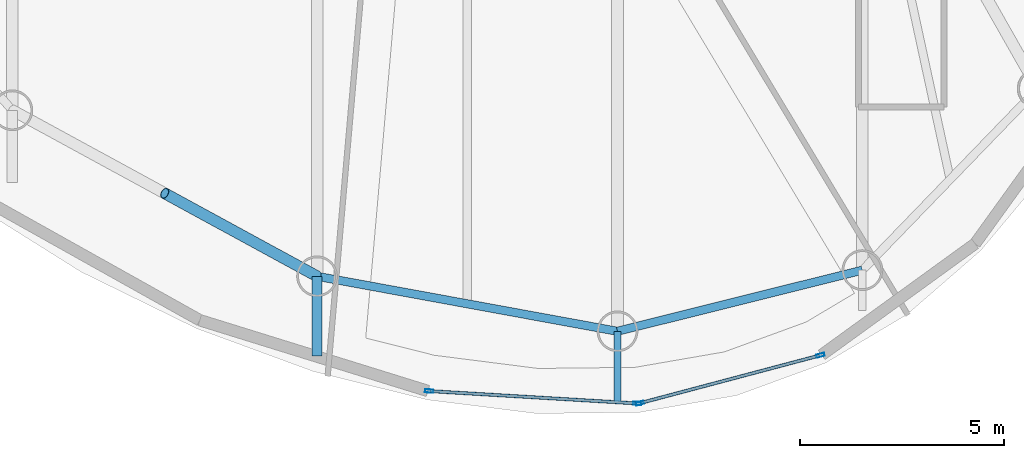
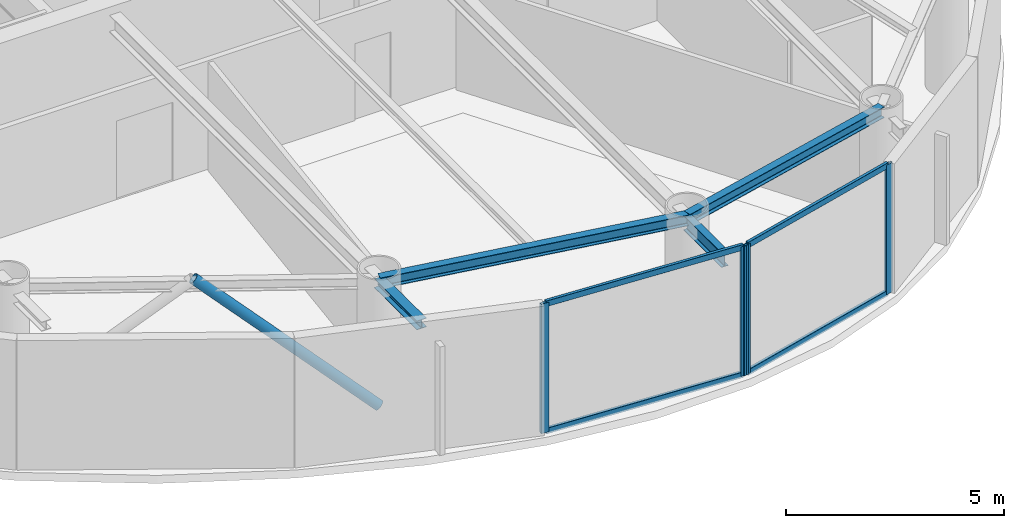
# One storey, part 3 of 19: 9 members, 4 beams, 2 elements without a shape of their own.
"""IFC4 building model written with IfcOpenShell, lengths in metres."""

from ifc_helpers import new_model, si_unit, direction, frame, origin, origin_2d, place, context, subcontext, project, spatial, hollow_rectangle, hollow_circle, i_section, extrude, material, layer, layer_set, material_profile, profile_set, type_object, element, aggregate, save


model = new_model("IFC4")

# Units and contexts
model_context = context("Model", 3, precision=1e-05, world=origin(), true_north=direction((0.0, 1.0)))
body_context = subcontext(model_context, "Body", "Model", "MODEL_VIEW")
ifc_project = project(units=[si_unit("LENGTHUNIT", "METRE"), si_unit("AREAUNIT", "SQUARE_METRE"), si_unit("VOLUMEUNIT", "CUBIC_METRE"), si_unit("PLANEANGLEUNIT", "RADIAN"), si_unit("MASSUNIT", "GRAM", prefix="KILO")], contexts=[model_context])

# Site, building, storey
site_placement = place(None, origin())
site = spatial("IfcSite", under=ifc_project, at=site_placement, CompositionType="ELEMENT")
building_placement = place(site_placement, origin())
building = spatial("IfcBuilding", under=site, at=building_placement, Name="Bramvorn Convention Spire", CompositionType="ELEMENT")
storey_placement = place(building_placement, frame((0.0, 0.0, 292.10009765625)))
storey = spatial("IfcBuildingStorey", under=building, at=storey_placement, Name="L74", CompositionType="ELEMENT", Elevation=292.10009765625)

# Beams
ifc_material_1 = material(Name="Steel CSA G40.21 Grade 350 (350W)", Category="steel")
ifc_material_profile_1 = material_profile(ifc_material_1, i_section(OverallWidth=0.25390625, OverallDepth=0.2529296875, WebThickness=0.008544921875, FlangeThickness=0.01416015625, FilletRadius=0.011962890625, at=origin_2d()))
ifc_profile_set_1 = profile_set([ifc_material_profile_1], Name="Steel CSA G40.21 Grade 350 (350W) - W250X73")
beam_type_1 = type_object("IfcBeamType", Name="BM-W250X73", PredefinedType="BEAM", material=ifc_profile_set_1)
beam_1_placement = place(storey_placement, frame((35.8154296875, 6.44921875, 3.45849609375), z_axis=(0.0, -1.0, 0.0), x_axis=(1.0, 0.0, 0.0)))
element("IfcBeam", 1, at=beam_1_placement, inside=storey, type_object=beam_type_1, Name="L74 slab-edge cantilever tip beam MC15", PredefinedType="BEAM", context=body_context, shape_type="SweptSolid", body=[
    extrude(i_section(OverallWidth=0.25390625, OverallDepth=0.2529296875, WebThickness=0.008544921875, FlangeThickness=0.01416015625, FilletRadius=0.011962890625, at=origin_2d()), origin(), (0.0, 0.0, 1.0), 1.954833984375),
])
ifc_material_profile_2 = material_profile(ifc_material_1, i_section(OverallWidth=0.202880859375, OverallDepth=0.302978515625, WebThickness=0.007568359375, FlangeThickness=0.01318359375, FilletRadius=0.013916015625, at=origin_2d()))
ifc_profile_set_2 = profile_set([ifc_material_profile_2], Name="Steel CSA G40.21 Grade 350 (350W) - W310X60")
beam_type_2 = type_object("IfcBeamType", Name="BM-W310X60", PredefinedType="JOIST", material=ifc_profile_set_2)
beam_2_placement = place(storey_placement, frame((35.8154296875, 6.44921875, 3.473388671875), z_axis=(0.983645049461, -0.180117785547, 0.0), x_axis=(0.180117785547, 0.983645049461, 0.0)))
element("IfcBeam", 2, at=beam_2_placement, inside=storey, type_object=beam_type_2, Name="L74 mega-column ring beam 15", PredefinedType="JOIST", context=body_context, shape_type="SweptSolid", body=[
    extrude(i_section(OverallWidth=0.202880859375, OverallDepth=0.302978515625, WebThickness=0.007568359375, FlangeThickness=0.01318359375, FilletRadius=0.013916015625, at=origin_2d()), origin(), (0.0, 0.0, 1.0), 7.49560546875),
])
beam_3_placement = place(storey_placement, frame((43.1884765625, 5.09912109375, 3.473388671875), z_axis=(0.970177255997, 0.24239655927, 0.0), x_axis=(-0.24239655927, 0.970177255997, 0.0)))
element("IfcBeam", 3, at=beam_3_placement, inside=storey, type_object=beam_type_2, Name="L74 mega-column ring beam 16", PredefinedType="JOIST", context=body_context, shape_type="SweptSolid", body=[
    extrude(i_section(OverallWidth=0.202880859375, OverallDepth=0.302978515625, WebThickness=0.007568359375, FlangeThickness=0.01318359375, FilletRadius=0.013916015625, at=origin_2d()), origin(), (0.0, 0.0, 1.0), 6.1962890625),
])
ifc_material_profile_3 = material_profile(ifc_material_1, i_section(OverallWidth=0.180908203125, OverallDepth=0.4169921875, WebThickness=0.010986328125, FlangeThickness=0.018310546875, FilletRadius=0.01611328125, at=origin_2d()))
ifc_profile_set_3 = profile_set([ifc_material_profile_3], Name="Steel CSA G40.21 Grade 350 (350W) - W410X85")
beam_type_3 = type_object("IfcBeamType", Name="BM-W410X85", PredefinedType="JOIST", material=ifc_profile_set_3)
beam_4_placement = place(storey_placement, frame((43.1884765625, 5.09912109375, 3.37646484375), z_axis=(0.0, -1.0, 0.0), x_axis=(1.0, 0.0, 0.0)))
element("IfcBeam", 4, at=beam_4_placement, inside=storey, type_object=beam_type_3, Name="L74 Sky-Garden cantilever tip girder MC16", PredefinedType="JOIST", context=body_context, shape_type="SweptSolid", body=[
    extrude(i_section(OverallWidth=0.180908203125, OverallDepth=0.4169921875, WebThickness=0.010986328125, FlangeThickness=0.018310546875, FilletRadius=0.01611328125, at=origin_2d()), origin(), (0.0, 0.0, 1.0), 1.73681640625),
])

# Curtain wall, members
ifc_material_2 = material(Name="Anodised Bronze Unitised Curtain Wall", Category="aluminium")
ifc_layer = layer(ifc_material_2, 0.179931640625)
ifc_layer_set = layer_set([ifc_layer], Name="Anodised Bronze Unitised Curtain Wall - CW-OFF-FRIT")
curtain_wall_type = type_object("IfcCurtainWallType", Name="CW-OFF-FRIT", PredefinedType="USERDEFINED", material=ifc_layer_set)
curtain_wall_1_placement = place(storey_placement, origin())
curtain_wall_1 = element("IfcCurtainWall", 5, at=curtain_wall_1_placement, inside=storey, type_object=curtain_wall_type, Name="L74 fritted glass curtain wall 23", ObjectType="UNITISED CURTAIN WALL", PredefinedType="USERDEFINED")
ifc_material_3 = material(Name="Anodised Bronze Aluminium 6063-T6", Category="aluminium")
ifc_material_profile_4 = material_profile(ifc_material_3, hollow_rectangle(XDim=0.080078125, YDim=0.199951171875, WallThickness=0.00390625, InnerFilletRadius=0.0009765625, OuterFilletRadius=0.00390625, at=origin_2d()))
ifc_profile_set_4 = profile_set([ifc_material_profile_4], Name="Anodised Bronze Aluminium 6063-T6 - CWM80X200")
member_type_1 = type_object("IfcMemberType", Name="CW-MUL-180", PredefinedType="MULLION", material=ifc_profile_set_4)
member_1_placement = place(storey_placement, frame((43.675048828125, 3.328369140625, 0.0), z_axis=(0.0, 0.0, 1.0), x_axis=(-0.059390925661, -0.998234801011, 0.0)))
member_1 = element("IfcMember", 6, at=member_1_placement, type_object=member_type_1, Name="CW3 mullion 1", PredefinedType="MULLION", context=body_context, shape_type="SweptSolid", body=[
    extrude(hollow_rectangle(XDim=0.080078125, YDim=0.199951171875, WallThickness=0.00390625, InnerFilletRadius=0.0009765625, OuterFilletRadius=0.00390625, at=origin_2d()), origin(), (0.0, 0.0, 1.0), 3.625),
])
member_2_placement = place(storey_placement, frame((38.564697265625, 3.63232421875, 0.0), z_axis=(0.0, 0.0, 1.0), x_axis=(-0.059390925661, -0.998234801011, 0.0)))
member_2 = element("IfcMember", 7, at=member_2_placement, type_object=member_type_1, Name="CW3 mullion 2", PredefinedType="MULLION", context=body_context, shape_type="SweptSolid", body=[
    extrude(hollow_rectangle(XDim=0.080078125, YDim=0.199951171875, WallThickness=0.00390625, InnerFilletRadius=0.0009765625, OuterFilletRadius=0.00390625, at=origin_2d()), origin(), (0.0, 0.0, 1.0), 3.625),
])

curtain_wall_2_placement = place(storey_placement, origin())
curtain_wall_2 = element("IfcCurtainWall", 8, at=curtain_wall_2_placement, inside=storey, type_object=curtain_wall_type, Name="L74 fritted glass curtain wall 24", ObjectType="UNITISED CURTAIN WALL", PredefinedType="USERDEFINED")
member_3_placement = place(storey_placement, frame((48.171142578125, 4.510986328125, 0.0), z_axis=(0.0, 0.0, 1.0), x_axis=(0.256353523862, -0.966583090481, 0.0)))
member_3 = element("IfcMember", 9, at=member_3_placement, type_object=member_type_1, Name="CW3 mullion 1", PredefinedType="MULLION", context=body_context, shape_type="SweptSolid", body=[
    extrude(hollow_rectangle(XDim=0.080078125, YDim=0.199951171875, WallThickness=0.00390625, InnerFilletRadius=0.0009765625, OuterFilletRadius=0.00390625, at=origin_2d()), origin(), (0.0, 0.0, 1.0), 3.625),
])
member_4_placement = place(storey_placement, frame((43.73388671875, 3.334228515625, 0.0), z_axis=(0.0, 0.0, 1.0), x_axis=(0.256353523862, -0.966583090481, 0.0)))
member_4 = element("IfcMember", 10, at=member_4_placement, type_object=member_type_1, Name="CW3 mullion 2", PredefinedType="MULLION", context=body_context, shape_type="SweptSolid", body=[
    extrude(hollow_rectangle(XDim=0.080078125, YDim=0.199951171875, WallThickness=0.00390625, InnerFilletRadius=0.0009765625, OuterFilletRadius=0.00390625, at=origin_2d()), origin(), (0.0, 0.0, 1.0), 3.625),
])

# Member
ifc_material_profile_5 = material_profile(ifc_material_3, hollow_rectangle(XDim=0.080078125, YDim=0.159912109375, WallThickness=0.00390625, InnerFilletRadius=0.0009765625, OuterFilletRadius=0.00390625, at=origin_2d()))
ifc_profile_set_5 = profile_set([ifc_material_profile_5], Name="Anodised Bronze Aluminium 6063-T6 - CWT80X160")
member_type_2 = type_object("IfcMemberType", Name="CW-TRN-150", PredefinedType="USERDEFINED", material=ifc_profile_set_5)
member_5_placement = place(storey_placement, frame((43.64501953125, 3.330078125, 0.02978515625), z_axis=(-0.998234037564, 0.059403756175, 0.0), x_axis=(-0.059403756175, -0.998234037564, 0.0)))
member_5 = element("IfcMember", 11, at=member_5_placement, type_object=member_type_2, Name="CW3 transom 1.1", ObjectType="TRANSOM", PredefinedType="USERDEFINED", context=body_context, shape_type="SweptSolid", body=[
    extrude(hollow_rectangle(XDim=0.080078125, YDim=0.159912109375, WallThickness=0.00390625, InnerFilletRadius=0.0009765625, OuterFilletRadius=0.00390625, at=origin_2d()), origin(), (0.0, 0.0, 1.0), 5.059326171875),
])

member_6_placement = place(storey_placement, frame((43.64501953125, 3.330078125, 3.594970703125), z_axis=(-0.998234037564, 0.059403756175, 0.0), x_axis=(-0.059403756175, -0.998234037564, 0.0)))
member_6 = element("IfcMember", 12, at=member_6_placement, type_object=member_type_2, Name="CW3 transom 1.2", ObjectType="TRANSOM", PredefinedType="USERDEFINED", context=body_context, shape_type="SweptSolid", body=[
    extrude(hollow_rectangle(XDim=0.080078125, YDim=0.159912109375, WallThickness=0.00390625, InnerFilletRadius=0.0009765625, OuterFilletRadius=0.00390625, at=origin_2d()), origin(), (0.0, 0.0, 1.0), 5.059326171875),
])

aggregate(curtain_wall_1, [member_1, member_2, member_5, member_6])

member_7_placement = place(storey_placement, frame((48.14208984375, 4.50341796875, 0.02978515625), z_axis=(-0.966572187669, -0.256394629477, 0.0), x_axis=(0.256394629477, -0.966572187669, 0.0)))
member_7 = element("IfcMember", 13, at=member_7_placement, type_object=member_type_2, Name="CW3 transom 1.1", ObjectType="TRANSOM", PredefinedType="USERDEFINED", context=body_context, shape_type="SweptSolid", body=[
    extrude(hollow_rectangle(XDim=0.080078125, YDim=0.159912109375, WallThickness=0.00390625, InnerFilletRadius=0.0009765625, OuterFilletRadius=0.00390625, at=origin_2d()), origin(), (0.0, 0.0, 1.0), 4.530517578125),
])

member_8_placement = place(storey_placement, frame((48.14208984375, 4.50341796875, 3.594970703125), z_axis=(-0.966572187669, -0.256394629477, 0.0), x_axis=(0.256394629477, -0.966572187669, 0.0)))
member_8 = element("IfcMember", 14, at=member_8_placement, type_object=member_type_2, Name="CW3 transom 1.2", ObjectType="TRANSOM", PredefinedType="USERDEFINED", context=body_context, shape_type="SweptSolid", body=[
    extrude(hollow_rectangle(XDim=0.080078125, YDim=0.159912109375, WallThickness=0.00390625, InnerFilletRadius=0.0009765625, OuterFilletRadius=0.00390625, at=origin_2d()), origin(), (0.0, 0.0, 1.0), 4.530517578125),
])

aggregate(curtain_wall_2, [member_3, member_4, member_7, member_8])

ifc_material_profile_6 = material_profile(ifc_material_1, hollow_circle(Radius=0.136474609375, WallThickness=0.0126953125, at=origin_2d()))
ifc_profile_set_6 = profile_set([ifc_material_profile_6], Name="Steel CSA G40.21 Grade 350 (350W) - CHS273X13")
member_type_3 = type_object("IfcMemberType", Name="MBR-CHS273X13", PredefinedType="BRACE", material=ifc_profile_set_6)
member_9_placement = place(storey_placement, frame((35.8154296875, 6.44921875, 0.0), z_axis=(-0.668620574392, 0.364261554927, 0.64827466949), x_axis=(-0.478406114461, -0.878138707521, 0.0)))
element("IfcMember", 15, at=member_9_placement, inside=storey, type_object=member_type_3, Name="L74 perimeter Gothic lancet brace 14B", PredefinedType="BRACE", context=body_context, shape_type="SweptSolid", body=[
    extrude(hollow_circle(Radius=0.136474609375, WallThickness=0.0126953125, at=origin_2d()), origin(), (0.0, 0.0, 1.0), 5.591796875),
])

save(model, "model.ifc")
